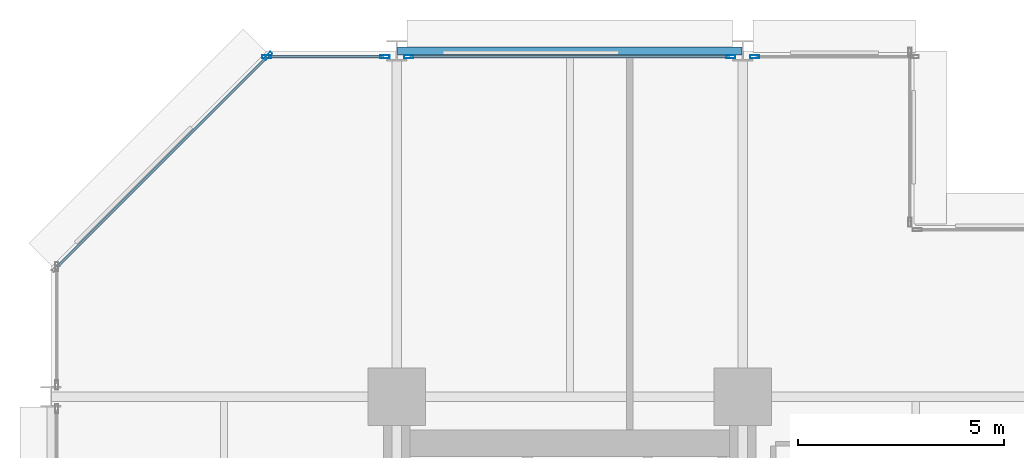
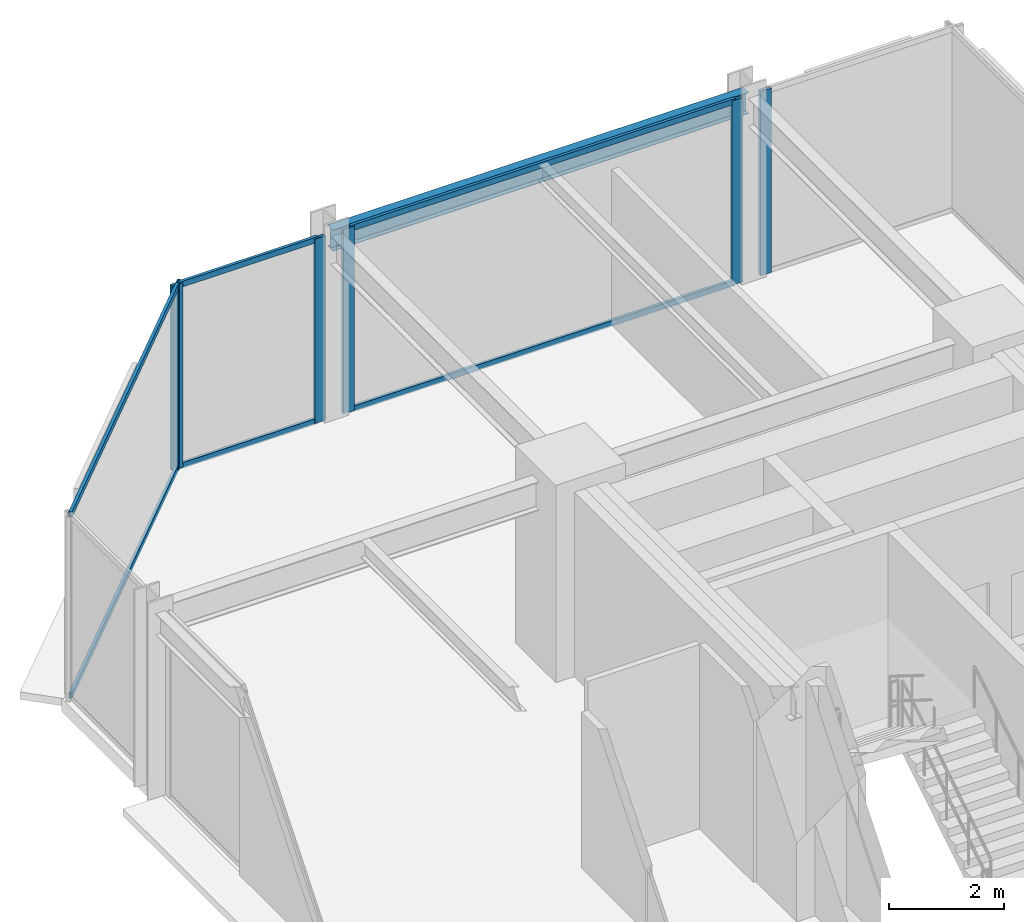
# One storey, part 17 of 25: 12 members, 1 beam, 4 elements without a shape of their own.
"""IFC4 building model written with IfcOpenShell, lengths in metres."""

from ifc_helpers import new_model, si_unit, direction, frame, origin, origin_2d, place, context, subcontext, project, spatial, hollow_rectangle, i_section, extrude, material, layer, layer_set, material_profile, profile_set, type_object, element, aggregate, save


model = new_model("IFC4")

# Units and contexts
model_context = context("Model", 3, precision=1e-05, world=origin(), true_north=direction((0.0, 1.0)))
body_context = subcontext(model_context, "Body", "Model", "MODEL_VIEW")
ifc_project = project(units=[si_unit("LENGTHUNIT", "METRE"), si_unit("AREAUNIT", "SQUARE_METRE"), si_unit("VOLUMEUNIT", "CUBIC_METRE"), si_unit("PLANEANGLEUNIT", "RADIAN"), si_unit("MASSUNIT", "GRAM", prefix="KILO")], contexts=[model_context])

# Site, building, storey
site_placement = place(None, origin())
site = spatial("IfcSite", under=ifc_project, at=site_placement, CompositionType="ELEMENT")
building_placement = place(site_placement, origin())
building = spatial("IfcBuilding", under=site, at=building_placement, Name="Nerrivon Quay Data Exchange", CompositionType="ELEMENT")
storey_placement = place(building_placement, frame((0.0, 0.0, 54.199951171875)))
storey = spatial("IfcBuildingStorey", under=building, at=storey_placement, Name="L12", CompositionType="ELEMENT", Elevation=54.199951171875)

# Beam
ifc_material_1 = material(Name="Steel Grade 350", Category="steel")
ifc_material_profile_1 = material_profile(ifc_material_1, i_section(OverallWidth=0.18994140625, OverallDepth=0.4541015625, WebThickness=0.008544921875, FlangeThickness=0.0126953125, FilletRadius=0.011474609375, at=origin_2d()), Name="460UB67.1")
ifc_profile_set_1 = profile_set([ifc_material_profile_1], Name="Steel Grade 350")
beam_type = type_object("IfcBeamType", Name="BM-SP1-460UB67", PredefinedType="SPANDREL", material=ifc_profile_set_1)
beam_placement = place(storey_placement, frame((8.4140625, 50.39990234375, 3.697998046875), z_axis=(1.0, 0.0, 0.0), x_axis=(0.0, 1.0, 0.0)))
element("IfcBeam", 1, at=beam_placement, inside=storey, type_object=beam_type, Name="L12 EW Girder Y=50.4 (8.4..16.8)", PredefinedType="SPANDREL", context=body_context, shape_type="SweptSolid", body=[
    extrude(i_section(OverallWidth=0.18994140625, OverallDepth=0.4541015625, WebThickness=0.008544921875, FlangeThickness=0.0126953125, FilletRadius=0.011474609375, at=origin_2d()), origin(), (0.0, 0.0, 1.0), 8.371826171875),
])

# Curtain wall, member
ifc_material_2 = material(Name="Anodised aluminium 6063-T6", Category="aluminium")
ifc_layer = layer(ifc_material_2, 0.219970703125)
ifc_layer_set = layer_set([ifc_layer], Name="Anodised aluminium 6063-T6")
curtain_wall_type = type_object("IfcCurtainWallType", Name="CW-SYS-01", PredefinedType="NOTDEFINED", material=ifc_layer_set)
curtain_wall_1_placement = place(storey_placement, origin())
curtain_wall_1 = element("IfcCurtainWall", 2, at=curtain_wall_1_placement, inside=storey, type_object=curtain_wall_type, Name="L12 Unitised Curtain Wall 19", PredefinedType="NOTDEFINED")
ifc_material_profile_2 = material_profile(ifc_material_2, hollow_rectangle(XDim=0.074951171875, YDim=0.219970703125, WallThickness=0.00390625, at=origin_2d()), Name="ALU-MULL-220x75")
ifc_profile_set_2 = profile_set([ifc_material_profile_2], Name="Anodised aluminium 6063-T6")
member_type_1 = type_object("IfcMemberType", Name="CWM-220x75", PredefinedType="MULLION", material=ifc_profile_set_2)
member_1_placement = place(storey_placement, frame((5.2724609375, 50.2744140625, 0.0), z_axis=(0.0, 0.0, 1.0), x_axis=(-0.707106781187, 0.707106781187, 0.0)))
member_1 = element("IfcMember", 3, at=member_1_placement, type_object=member_type_1, Name="CW01 mullion 2", PredefinedType="MULLION", context=body_context, shape_type="SweptSolid", body=[
    extrude(hollow_rectangle(XDim=0.074951171875, YDim=0.219970703125, WallThickness=0.00390625, at=origin_2d()), origin(), (0.0, 0.0, 1.0), 3.925048828125),
])

# Curtain wall, members
curtain_wall_2_placement = place(storey_placement, origin())
curtain_wall_2 = element("IfcCurtainWall", 4, at=curtain_wall_2_placement, inside=storey, type_object=curtain_wall_type, Name="L12 Unitised Curtain Wall 20", PredefinedType="NOTDEFINED")
member_2_placement = place(storey_placement, frame((5.237548828125, 50.260009765625, 0.0), z_axis=(0.0, 0.0, 1.0), x_axis=(0.0, 1.0, 0.0)))
member_2 = element("IfcMember", 5, at=member_2_placement, type_object=member_type_1, Name="CW01 mullion 1", PredefinedType="MULLION", context=body_context, shape_type="SweptSolid", body=[
    extrude(hollow_rectangle(XDim=0.074951171875, YDim=0.219970703125, WallThickness=0.00390625, at=origin_2d()), origin(), (0.0, 0.0, 1.0), 3.925048828125),
])
member_3_placement = place(storey_placement, frame((8.112548828125, 50.260009765625, 0.0), z_axis=(0.0, 0.0, 1.0), x_axis=(0.0, 1.0, 0.0)))
member_3 = element("IfcMember", 6, at=member_3_placement, type_object=member_type_1, Name="CW01 mullion 2", PredefinedType="MULLION", context=body_context, shape_type="SweptSolid", body=[
    extrude(hollow_rectangle(XDim=0.074951171875, YDim=0.219970703125, WallThickness=0.00390625, at=origin_2d()), origin(), (0.0, 0.0, 1.0), 3.925048828125),
])

curtain_wall_3_placement = place(storey_placement, origin())
curtain_wall_3 = element("IfcCurtainWall", 7, at=curtain_wall_3_placement, inside=storey, type_object=curtain_wall_type, Name="L12 Unitised Curtain Wall 21", PredefinedType="NOTDEFINED")
member_4_placement = place(storey_placement, frame((8.6875, 50.260009765625, 0.0), z_axis=(0.0, 0.0, 1.0), x_axis=(0.0, 1.0, 0.0)))
member_4 = element("IfcMember", 8, at=member_4_placement, type_object=member_type_1, Name="CW01 mullion 1", PredefinedType="MULLION", context=body_context, shape_type="SweptSolid", body=[
    extrude(hollow_rectangle(XDim=0.074951171875, YDim=0.219970703125, WallThickness=0.00390625, at=origin_2d()), origin(), (0.0, 0.0, 1.0), 3.925048828125),
])
member_5_placement = place(storey_placement, frame((16.512451171875, 50.260009765625, 0.0), z_axis=(0.0, 0.0, 1.0), x_axis=(0.0, 1.0, 0.0)))
member_5 = element("IfcMember", 9, at=member_5_placement, type_object=member_type_1, Name="CW01 mullion 2", PredefinedType="MULLION", context=body_context, shape_type="SweptSolid", body=[
    extrude(hollow_rectangle(XDim=0.074951171875, YDim=0.219970703125, WallThickness=0.00390625, at=origin_2d()), origin(), (0.0, 0.0, 1.0), 3.925048828125),
])

# Curtain wall, member
curtain_wall_4_placement = place(storey_placement, origin())
curtain_wall_4 = element("IfcCurtainWall", 10, at=curtain_wall_4_placement, inside=storey, type_object=curtain_wall_type, Name="L12 Unitised Curtain Wall 22", PredefinedType="NOTDEFINED")
member_6_placement = place(storey_placement, frame((17.08740234375, 50.260009765625, 0.0), z_axis=(0.0, 0.0, 1.0), x_axis=(0.0, 1.0, 0.0)))
member_6 = element("IfcMember", 11, at=member_6_placement, type_object=member_type_1, Name="CW01 mullion 1", PredefinedType="MULLION", context=body_context, shape_type="SweptSolid", body=[
    extrude(hollow_rectangle(XDim=0.074951171875, YDim=0.219970703125, WallThickness=0.00390625, at=origin_2d()), origin(), (0.0, 0.0, 1.0), 3.925048828125),
])
aggregate(curtain_wall_4, [member_6])

# Member
ifc_material_profile_3 = material_profile(ifc_material_2, hollow_rectangle(XDim=0.06005859375, YDim=0.1201171875, WallThickness=0.003173828125, at=origin_2d()), Name="ALU-TRAN-120x60")
ifc_profile_set_3 = profile_set([ifc_material_profile_3], Name="Anodised aluminium 6063-T6")
member_type_2 = type_object("IfcMemberType", Name="CWT-120x60", PredefinedType="USERDEFINED", material=ifc_profile_set_3)
member_7_placement = place(storey_placement, frame((0.152099609375, 45.154052734375, 0.032470703125), z_axis=(0.707089835771, 0.707123726196, 0.0), x_axis=(-0.707123726196, 0.707089835771, 0.0)))
member_7 = element("IfcMember", 12, at=member_7_placement, type_object=member_type_2, Name="CW01 transom 1.1", ObjectType="TRANSOM", PredefinedType="USERDEFINED", context=body_context, shape_type="SweptSolid", body=[
    extrude(hollow_rectangle(XDim=0.06005859375, YDim=0.1201171875, WallThickness=0.003173828125, at=origin_2d()), origin(), (0.0, 0.0, 1.0), 7.203857421875),
])

member_8_placement = place(storey_placement, frame((0.152099609375, 45.154052734375, 3.892578125), z_axis=(0.707089835771, 0.707123726196, 0.0), x_axis=(-0.707123726196, 0.707089835771, 0.0)))
member_8 = element("IfcMember", 13, at=member_8_placement, type_object=member_type_2, Name="CW01 transom 1.2", ObjectType="TRANSOM", PredefinedType="USERDEFINED", context=body_context, shape_type="SweptSolid", body=[
    extrude(hollow_rectangle(XDim=0.06005859375, YDim=0.1201171875, WallThickness=0.003173828125, at=origin_2d()), origin(), (0.0, 0.0, 1.0), 7.203857421875),
])

aggregate(curtain_wall_1, [member_1, member_7, member_8])

member_9_placement = place(storey_placement, frame((5.27490234375, 50.260009765625, 0.032470703125), z_axis=(1.0, 0.0, 0.0), x_axis=(0.0, 1.0, 0.0)))
member_9 = element("IfcMember", 14, at=member_9_placement, type_object=member_type_2, Name="CW01 transom 1.1", ObjectType="TRANSOM", PredefinedType="USERDEFINED", context=body_context, shape_type="SweptSolid", body=[
    extrude(hollow_rectangle(XDim=0.06005859375, YDim=0.1201171875, WallThickness=0.003173828125, at=origin_2d()), origin(), (0.0, 0.0, 1.0), 2.800048828125),
])

member_10_placement = place(storey_placement, frame((5.27490234375, 50.260009765625, 3.892578125), z_axis=(1.0, 0.0, 0.0), x_axis=(0.0, 1.0, 0.0)))
member_10 = element("IfcMember", 15, at=member_10_placement, type_object=member_type_2, Name="CW01 transom 1.2", ObjectType="TRANSOM", PredefinedType="USERDEFINED", context=body_context, shape_type="SweptSolid", body=[
    extrude(hollow_rectangle(XDim=0.06005859375, YDim=0.1201171875, WallThickness=0.003173828125, at=origin_2d()), origin(), (0.0, 0.0, 1.0), 2.800048828125),
])

aggregate(curtain_wall_2, [member_2, member_3, member_9, member_10])

member_11_placement = place(storey_placement, frame((8.72509765625, 50.260009765625, 0.032470703125), z_axis=(1.0, 0.0, 0.0), x_axis=(0.0, 1.0, 0.0)))
member_11 = element("IfcMember", 16, at=member_11_placement, type_object=member_type_2, Name="CW01 transom 1.1", ObjectType="TRANSOM", PredefinedType="USERDEFINED", context=body_context, shape_type="SweptSolid", body=[
    extrude(hollow_rectangle(XDim=0.06005859375, YDim=0.1201171875, WallThickness=0.003173828125, at=origin_2d()), origin(), (0.0, 0.0, 1.0), 7.75),
])

member_12_placement = place(storey_placement, frame((8.72509765625, 50.260009765625, 3.892578125), z_axis=(1.0, 0.0, 0.0), x_axis=(0.0, 1.0, 0.0)))
member_12 = element("IfcMember", 17, at=member_12_placement, type_object=member_type_2, Name="CW01 transom 1.2", ObjectType="TRANSOM", PredefinedType="USERDEFINED", context=body_context, shape_type="SweptSolid", body=[
    extrude(hollow_rectangle(XDim=0.06005859375, YDim=0.1201171875, WallThickness=0.003173828125, at=origin_2d()), origin(), (0.0, 0.0, 1.0), 7.75),
])

aggregate(curtain_wall_3, [member_4, member_5, member_11, member_12])

save(model, "model.ifc")
